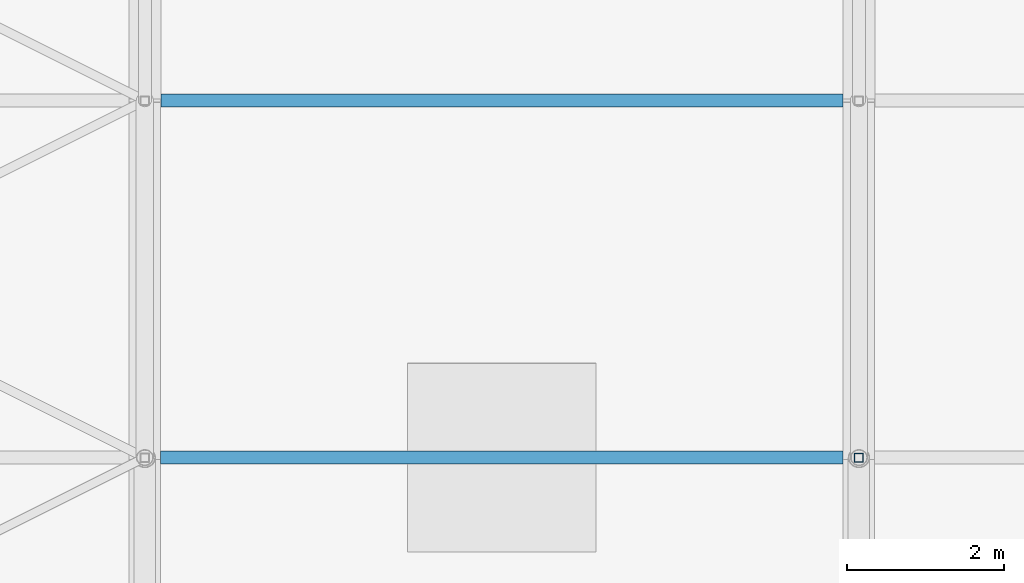
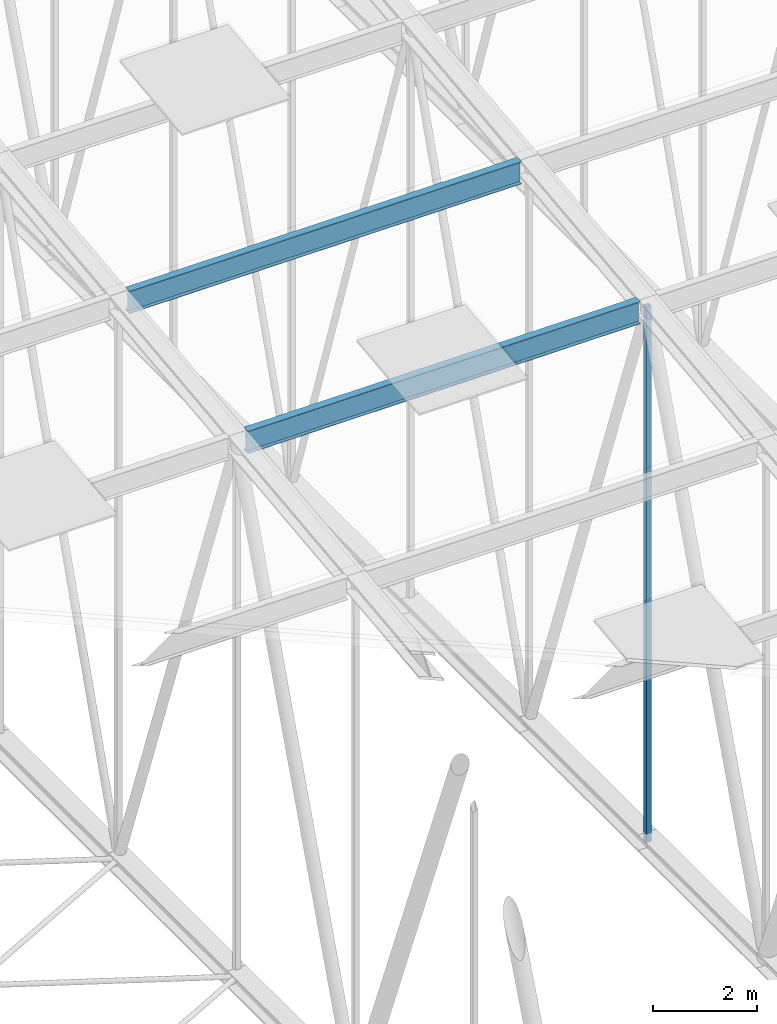
# One storey, part 136 of 500: 3 members.
"""IFC4 building model written with IfcOpenShell, lengths in metres."""

from ifc_helpers import new_model, si_unit, direction, frame, origin, origin_2d, place, context, subcontext, project, spatial, hollow_rectangle, i_section, extrude, material, material_profile, profile_set, type_object, element, save


model = new_model("IFC4")

# Units and contexts
model_context = context("Model", 3, precision=1e-05, world=origin(), true_north=direction((0.0, 1.0)))
body_context = subcontext(model_context, "Body", "Model", "MODEL_VIEW")
ifc_project = project(units=[si_unit("LENGTHUNIT", "METRE"), si_unit("AREAUNIT", "SQUARE_METRE"), si_unit("VOLUMEUNIT", "CUBIC_METRE"), si_unit("PLANEANGLEUNIT", "RADIAN"), si_unit("MASSUNIT", "GRAM", prefix="KILO")], contexts=[model_context])

# Site, building, storey
site_placement = place(None, origin())
site = spatial("IfcSite", under=ifc_project, at=site_placement, CompositionType="ELEMENT")
building_placement = place(site_placement, origin())
building = spatial("IfcBuilding", under=site, at=building_placement, Name="Shirokan Park Arena", CompositionType="ELEMENT")
storey_placement = place(building_placement, frame((0.0, 0.0, 29.1201171875)))
storey = spatial("IfcBuildingStorey", under=building, at=storey_placement, Name="L06", CompositionType="ELEMENT", Elevation=29.1201171875)

# Members
ifc_material_1 = material(Name="Steel ASTM A992", Category="steel")
ifc_material_profile_1 = material_profile(ifc_material_1, i_section(OverallWidth=0.166015625, OverallDepth=0.528076171875, WebThickness=0.009765625, FlangeThickness=0.013671875, at=origin_2d()), Name="W530X74")
ifc_profile_set_1 = profile_set([ifc_material_profile_1], Name="Steel ASTM A992")
member_type_1 = type_object("IfcMemberType", Name="Purlin W530X74", PredefinedType="PURLIN", material=ifc_profile_set_1)
member_1_placement = place(storey_placement, frame((54.800537109375, 40.949951171875, 17.165771484375), z_axis=(1.0, 0.0, 0.0), x_axis=(0.0, 1.0, 0.0)))
element("IfcMember", 1, at=member_1_placement, inside=storey, type_object=member_type_1, Name="Purlin 12 bay 7", PredefinedType="PURLIN", context=body_context, shape_type="SweptSolid", body=[
    extrude(i_section(OverallWidth=0.166015625, OverallDepth=0.528076171875, WebThickness=0.009765625, FlangeThickness=0.013671875, at=origin_2d()), origin(), (0.0, 0.0, 1.0), 8.698974609375),
])
member_2_placement = place(storey_placement, frame((54.802978515625, 45.5, 17.685791015625), z_axis=(1.0, 0.0, 0.0), x_axis=(0.0, 1.0, 0.0)))
element("IfcMember", 2, at=member_2_placement, inside=storey, type_object=member_type_1, Name="Purlin 13 bay 7", PredefinedType="PURLIN", context=body_context, shape_type="SweptSolid", body=[
    extrude(i_section(OverallWidth=0.166015625, OverallDepth=0.528076171875, WebThickness=0.009765625, FlangeThickness=0.013671875, at=origin_2d()), origin(), (0.0, 0.0, 1.0), 8.694091796875),
])
ifc_material_2 = material(Name="Steel ASTM A500 Grade C", Category="steel")
ifc_material_profile_2 = material_profile(ifc_material_2, hollow_rectangle(XDim=0.114013671875, YDim=0.114013671875, WallThickness=0.00634765625, at=origin_2d()), Name="HSS114.3X114.3X6.4")
ifc_profile_set_2 = profile_set([ifc_material_profile_2], Name="Steel ASTM A500 Grade C")
member_type_2 = type_object("IfcMemberType", Name="Truss post HSS114.3X114.3X6.4", PredefinedType="POST", material=ifc_profile_set_2)
member_3_placement = place(storey_placement, frame((63.699951171875, 40.949951171875, 4.677001953125), z_axis=(0.0, 0.0, 1.0), x_axis=(1.0, 0.0, 0.0)))
element("IfcMember", 3, at=member_3_placement, inside=storey, type_object=member_type_2, Name="Truss T08 post 12", PredefinedType="POST", context=body_context, shape_type="SweptSolid", body=[
    extrude(hollow_rectangle(XDim=0.114013671875, YDim=0.114013671875, WallThickness=0.00634765625, at=origin_2d()), origin(), (0.0, 0.0, 1.0), 12.54443359375),
])

save(model, "model.ifc")
